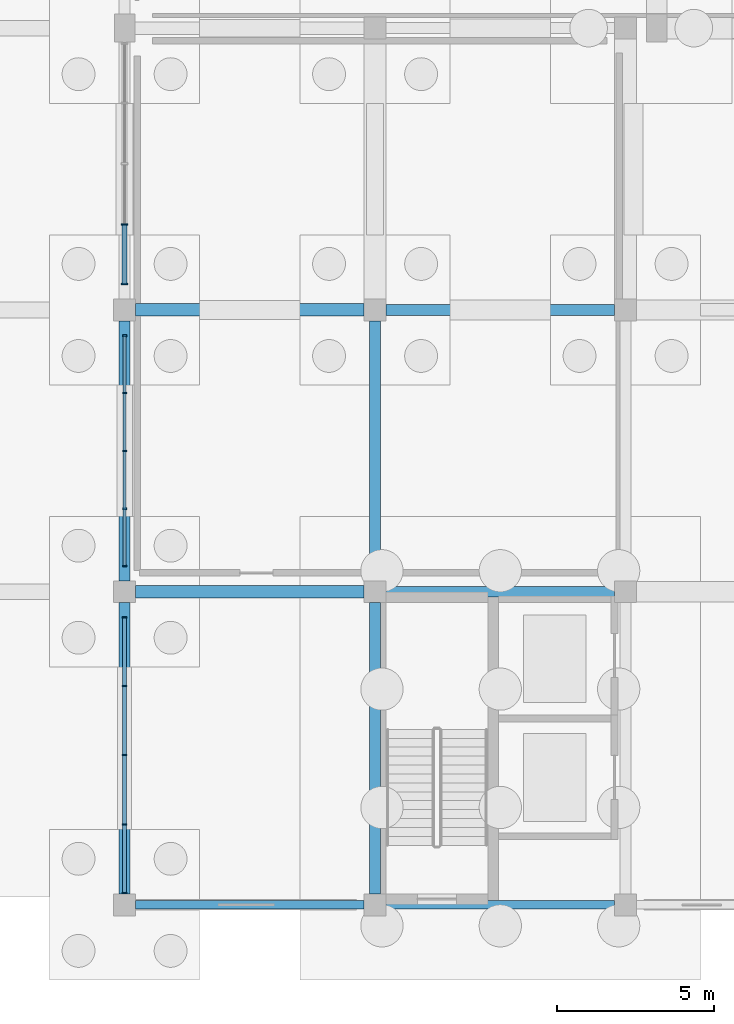
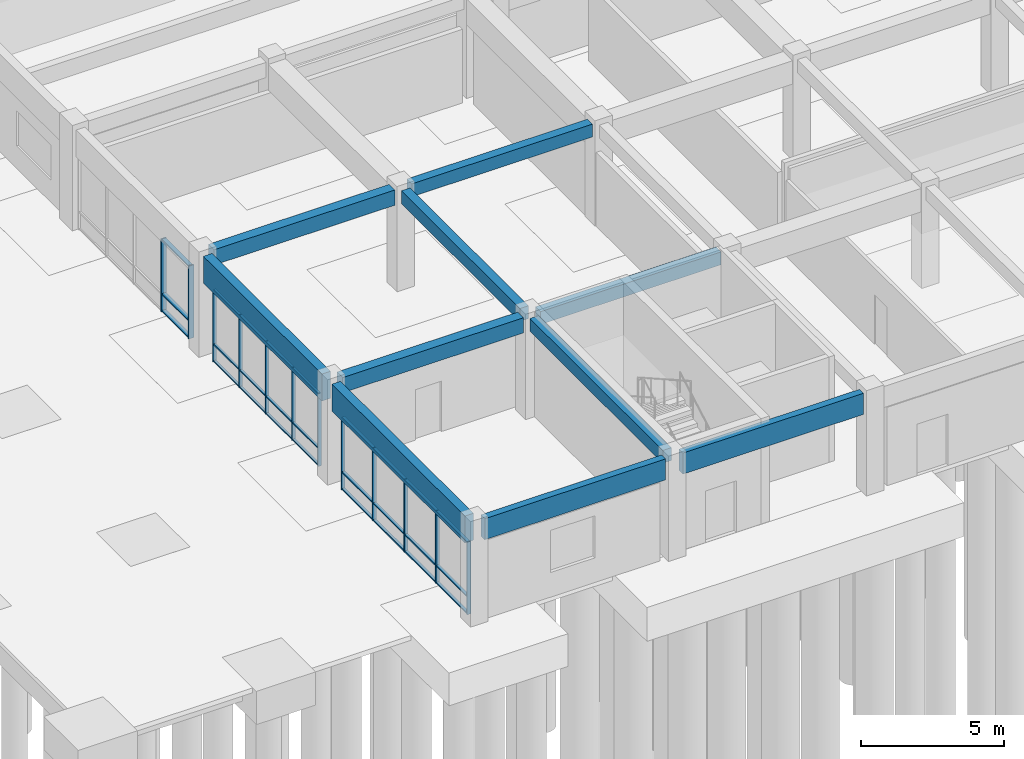
# One storey, part 24 of 84: 39 members, 10 beams, 3 elements without a shape of their own.
"""IFC4 building model written with IfcOpenShell, lengths in metres."""

from ifc_helpers import new_model, si_unit, direction, frame, origin, origin_2d, place, context, subcontext, project, spatial, rectangle, extrude, material, material_profile, profile_set, type_object, element, aggregate, save


model = new_model("IFC4")

# Units and contexts
model_context = context("Model", 3, precision=1e-05, world=origin(), true_north=direction((0.0, 1.0)))
body_context = subcontext(model_context, "Body", "Model", "MODEL_VIEW")
ifc_project = project(units=[si_unit("LENGTHUNIT", "METRE"), si_unit("AREAUNIT", "SQUARE_METRE"), si_unit("VOLUMEUNIT", "CUBIC_METRE"), si_unit("PLANEANGLEUNIT", "RADIAN"), si_unit("MASSUNIT", "GRAM", prefix="KILO")], contexts=[model_context])

# Site, building, storey
site_placement = place(None, origin())
site = spatial("IfcSite", under=ifc_project, at=site_placement, CompositionType="ELEMENT")
building_placement = place(site_placement, origin())
building = spatial("IfcBuilding", under=site, at=building_placement, Name="Larkveld Mobility Hub", CompositionType="ELEMENT")
storey_placement = place(building_placement, origin())
storey = spatial("IfcBuildingStorey", under=building, at=storey_placement, Name="L00", CompositionType="ELEMENT", Elevation=0.0)

# Beams
ifc_material_1 = material(Name="Concrete C40/50", Category="concrete")
ifc_material_profile_1 = material_profile(ifc_material_1, rectangle(XDim=0.35009765625, YDim=0.550048828125, at=origin_2d()), Name="RC BM 350x550")
ifc_profile_set_1 = profile_set([ifc_material_profile_1], Name="Concrete C40/50")
beam_type_1 = type_object("IfcBeamType", Name="BM-RC3555", PredefinedType="BEAM", material=ifc_profile_set_1)
for number, where, z_axis, x_axis, name in (
    (1, (120.35009765625, 10.0, 3.985107421875), (1.0, 0.0, 0.0), (0.0, 1.0, 0.0), "Primary E-W Girder L00-0007"),
    (2, (120.35009765625, 19.0, 3.985107421875), (1.0, 0.0, 0.0), (0.0, 1.0, 0.0), "Primary E-W Girder L00-0012"),
):
    element("IfcBeam", number, at=place(storey_placement, frame(where, z_axis=z_axis, x_axis=x_axis)), inside=storey, type_object=beam_type_1, Name=name, PredefinedType="BEAM", context=body_context, shape_type="SweptSolid", body=[
        extrude(rectangle(XDim=0.35009765625, YDim=0.550048828125, at=origin_2d()), origin(), (0.0, 0.0, 1.0), 7.2998046875),
    ])
beam_1_placement = place(storey_placement, frame((120.0, 0.35009765625, 3.985107421875), z_axis=(0.0, 1.0, 0.0), x_axis=(-1.0, 0.0, 0.0)))
element("IfcBeam", 3, at=beam_1_placement, inside=storey, type_object=beam_type_1, Name="Primary N-S Girder L00-0175", PredefinedType="BEAM", context=body_context, shape_type="SweptSolid", body=[
    extrude(rectangle(XDim=0.35009765625, YDim=0.550048828125, at=origin_2d()), origin(), (0.0, 0.0, 1.0), 9.2998046875),
])
beam_2_placement = place(storey_placement, frame((120.0, 10.35009765625, 3.985107421875), z_axis=(0.0, 1.0, 0.0), x_axis=(-1.0, 0.0, 0.0)))
element("IfcBeam", 4, at=beam_2_placement, inside=storey, type_object=beam_type_1, Name="Primary N-S Girder L00-0176", PredefinedType="BEAM", context=body_context, shape_type="SweptSolid", body=[
    extrude(rectangle(XDim=0.35009765625, YDim=0.550048828125, at=origin_2d()), origin(), (0.0, 0.0, 1.0), 8.2998046875),
])
ifc_material_profile_2 = material_profile(ifc_material_1, rectangle(XDim=0.39990234375, YDim=0.64990234375, at=origin_2d()), Name="RC BM 400x650")
ifc_profile_set_2 = profile_set([ifc_material_profile_2], Name="Concrete C40/50")
beam_type_2 = type_object("IfcBeamType", Name="BM-RC4065", PredefinedType="BEAM", material=ifc_profile_set_2)
for number, where, z_axis, x_axis, name in (
    (5, (112.35009765625, 10.0, 3.93505859375), (1.0, 0.0, 0.0), (0.0, 1.0, 0.0), "Primary E-W Girder L00-0006"),
    (6, (112.35009765625, 19.0, 3.93505859375), (1.0, 0.0, 0.0), (0.0, 1.0, 0.0), "Primary E-W Girder L00-0011"),
):
    element("IfcBeam", number, at=place(storey_placement, frame(where, z_axis=z_axis, x_axis=x_axis)), inside=storey, type_object=beam_type_2, Name=name, PredefinedType="BEAM", context=body_context, shape_type="SweptSolid", body=[
        extrude(rectangle(XDim=0.39990234375, YDim=0.64990234375, at=origin_2d()), origin(), (0.0, 0.0, 1.0), 7.2998046875),
    ])
ifc_material_2 = material(Name="Precast concrete C50/60", Category="concrete")
ifc_material_profile_3 = material_profile(ifc_material_2, rectangle(XDim=0.280029296875, YDim=0.89990234375, at=origin_2d()), Name="PC SP 280x900")
ifc_profile_set_3 = profile_set([ifc_material_profile_3], Name="Precast concrete C50/60")
beam_type_3 = type_object("IfcBeamType", Name="BM-SP2890", PredefinedType="SPANDREL", material=ifc_profile_set_3)
for number, where, z_axis, x_axis, name in (
    (7, (112.35009765625, 0.0, 3.81005859375), (1.0, 0.0, 0.0), (0.0, 1.0, 0.0), "Primary E-W Girder L00-0001"),
    (8, (120.35009765625, 0.0, 3.81005859375), (1.0, 0.0, 0.0), (0.0, 1.0, 0.0), "Primary E-W Girder L00-0002"),
):
    element("IfcBeam", number, at=place(storey_placement, frame(where, z_axis=z_axis, x_axis=x_axis)), inside=storey, type_object=beam_type_3, Name=name, PredefinedType="SPANDREL", context=body_context, shape_type="SweptSolid", body=[
        extrude(rectangle(XDim=0.280029296875, YDim=0.89990234375, at=origin_2d()), origin(), (0.0, 0.0, 1.0), 7.2998046875),
    ])
ifc_material_profile_4 = material_profile(ifc_material_2, rectangle(XDim=0.35009765625, YDim=1.14990234375, at=origin_2d()), Name="PC SP 350x1150")
ifc_profile_set_4 = profile_set([ifc_material_profile_4], Name="Precast concrete C50/60")
beam_type_4 = type_object("IfcBeamType", Name="BM-SP35115", PredefinedType="SPANDREL", material=ifc_profile_set_4)
beam_3_placement = place(storey_placement, frame((112.0, 0.35009765625, 3.68505859375), z_axis=(0.0, 1.0, 0.0), x_axis=(-1.0, 0.0, 0.0)))
element("IfcBeam", 9, at=beam_3_placement, inside=storey, type_object=beam_type_4, Name="Primary N-S Girder L00-0158", PredefinedType="SPANDREL", context=body_context, shape_type="SweptSolid", body=[
    extrude(rectangle(XDim=0.35009765625, YDim=1.14990234375, at=origin_2d()), origin(), (0.0, 0.0, 1.0), 9.2998046875),
])
beam_4_placement = place(storey_placement, frame((112.0, 10.35009765625, 3.68505859375), z_axis=(0.0, 1.0, 0.0), x_axis=(-1.0, 0.0, 0.0)))
element("IfcBeam", 10, at=beam_4_placement, inside=storey, type_object=beam_type_4, Name="Primary N-S Girder L00-0159", PredefinedType="SPANDREL", context=body_context, shape_type="SweptSolid", body=[
    extrude(rectangle(XDim=0.35009765625, YDim=1.14990234375, at=origin_2d()), origin(), (0.0, 0.0, 1.0), 8.2998046875),
])

# Curtain wall, members
ifc_material_3 = material(Name="Anodised aluminium 6063-T6", Category="aluminium")
curtain_wall_type_1 = type_object("IfcCurtainWallType", Name="CW-SYS-09", PredefinedType="NOTDEFINED", material=ifc_material_3)
curtain_wall_1_placement = place(storey_placement, origin())
curtain_wall_1 = element("IfcCurtainWall", 11, at=curtain_wall_1_placement, inside=storey, type_object=curtain_wall_type_1, Name="Public Passage East Service Facade L00 CW-093", PredefinedType="NOTDEFINED")
ifc_material_profile_5 = material_profile(ifc_material_3, rectangle(XDim=0.050048828125, YDim=0.14990234375, at=origin_2d()), Name="ALU MULL 50x150")
ifc_profile_set_5 = profile_set([ifc_material_profile_5], Name="Anodised aluminium 6063-T6")
member_type_1 = type_object("IfcMemberType", Name="CW-MUL-01", PredefinedType="MULLION", material=ifc_profile_set_5)
member_1_placement = place(storey_placement, frame((112.0, 9.175048828125, -0.001953125), z_axis=(0.0, 0.0, 1.0), x_axis=(0.0, -1.0, 0.0)))
member_1 = element("IfcMember", 12, at=member_1_placement, type_object=member_type_1, Name="CW09 mullion 1", PredefinedType="MULLION", context=body_context, shape_type="SweptSolid", body=[
    extrude(rectangle(XDim=0.050048828125, YDim=0.14990234375, at=origin_2d()), origin(), (0.0, 0.0, 1.0), 3.112060546875),
])
member_2_placement = place(storey_placement, frame((112.0, 6.989990234375, -0.001953125), z_axis=(0.0, 0.0, 1.0), x_axis=(0.0, -1.0, 0.0)))
member_2 = element("IfcMember", 13, at=member_2_placement, type_object=member_type_1, Name="CW09 mullion 2", PredefinedType="MULLION", context=body_context, shape_type="SweptSolid", body=[
    extrude(rectangle(XDim=0.050048828125, YDim=0.14990234375, at=origin_2d()), origin(), (0.0, 0.0, 1.0), 3.112060546875),
])
member_3_placement = place(storey_placement, frame((112.0, 4.780029296875, -0.001953125), z_axis=(0.0, 0.0, 1.0), x_axis=(0.0, -1.0, 0.0)))
member_3 = element("IfcMember", 14, at=member_3_placement, type_object=member_type_1, Name="CW09 mullion 3", PredefinedType="MULLION", context=body_context, shape_type="SweptSolid", body=[
    extrude(rectangle(XDim=0.050048828125, YDim=0.14990234375, at=origin_2d()), origin(), (0.0, 0.0, 1.0), 3.112060546875),
])
member_4_placement = place(storey_placement, frame((112.0, 2.570068359375, -0.001953125), z_axis=(0.0, 0.0, 1.0), x_axis=(0.0, -1.0, 0.0)))
member_4 = element("IfcMember", 15, at=member_4_placement, type_object=member_type_1, Name="CW09 mullion 4", PredefinedType="MULLION", context=body_context, shape_type="SweptSolid", body=[
    extrude(rectangle(XDim=0.050048828125, YDim=0.14990234375, at=origin_2d()), origin(), (0.0, 0.0, 1.0), 3.112060546875),
])
member_5_placement = place(storey_placement, frame((112.0, 0.385009765625, -0.001953125), z_axis=(0.0, 0.0, 1.0), x_axis=(0.0, -1.0, 0.0)))
member_5 = element("IfcMember", 16, at=member_5_placement, type_object=member_type_1, Name="CW09 mullion 5", PredefinedType="MULLION", context=body_context, shape_type="SweptSolid", body=[
    extrude(rectangle(XDim=0.050048828125, YDim=0.14990234375, at=origin_2d()), origin(), (0.0, 0.0, 1.0), 3.112060546875),
])

curtain_wall_type_2 = type_object("IfcCurtainWallType", Name="CW-SYS-07", PredefinedType="NOTDEFINED", material=ifc_material_3)
curtain_wall_2_placement = place(storey_placement, origin())
curtain_wall_2 = element("IfcCurtainWall", 17, at=curtain_wall_2_placement, inside=storey, type_object=curtain_wall_type_2, Name="Public Passage East Service Facade L00 CW-091", PredefinedType="NOTDEFINED")
ifc_material_profile_6 = material_profile(ifc_material_3, rectangle(XDim=0.050048828125, YDim=0.2099609375, at=origin_2d()), Name="ALU MULL 50x210")
ifc_profile_set_6 = profile_set([ifc_material_profile_6], Name="Anodised aluminium 6063-T6")
member_type_2 = type_object("IfcMemberType", Name="CW-MUL-03", PredefinedType="MULLION", material=ifc_profile_set_6)
member_6_placement = place(storey_placement, frame((112.0, 21.735107421875, -0.001953125), z_axis=(0.0, 0.0, 1.0), x_axis=(0.0, -1.0, 0.0)))
member_6 = element("IfcMember", 18, at=member_6_placement, type_object=member_type_2, Name="CW07 mullion 4", PredefinedType="MULLION", context=body_context, shape_type="SweptSolid", body=[
    extrude(rectangle(XDim=0.050048828125, YDim=0.2099609375, at=origin_2d()), origin(), (0.0, 0.0, 1.0), 3.112060546875),
])
member_7_placement = place(storey_placement, frame((112.0, 19.824951171875, -0.001953125), z_axis=(0.0, 0.0, 1.0), x_axis=(0.0, -1.0, 0.0)))
member_7 = element("IfcMember", 19, at=member_7_placement, type_object=member_type_2, Name="CW07 mullion 5", PredefinedType="MULLION", context=body_context, shape_type="SweptSolid", body=[
    extrude(rectangle(XDim=0.050048828125, YDim=0.2099609375, at=origin_2d()), origin(), (0.0, 0.0, 1.0), 3.112060546875),
])

curtain_wall_type_3 = type_object("IfcCurtainWallType", Name="CW-SYS-08", PredefinedType="NOTDEFINED", material=ifc_material_3)
curtain_wall_3_placement = place(storey_placement, origin())
curtain_wall_3 = element("IfcCurtainWall", 20, at=curtain_wall_3_placement, inside=storey, type_object=curtain_wall_type_3, Name="Public Passage East Service Facade L00 CW-092", PredefinedType="NOTDEFINED")
ifc_material_profile_7 = material_profile(ifc_material_3, rectangle(XDim=0.050048828125, YDim=0.1298828125, at=origin_2d()), Name="ALU MULL 50x130")
ifc_profile_set_7 = profile_set([ifc_material_profile_7], Name="Anodised aluminium 6063-T6")
member_type_3 = type_object("IfcMemberType", Name="CW-MUL-04", PredefinedType="MULLION", material=ifc_profile_set_7)
member_8_placement = place(storey_placement, frame((112.0, 18.175048828125, -0.001953125), z_axis=(0.0, 0.0, 1.0), x_axis=(0.0, -1.0, 0.0)))
member_8 = element("IfcMember", 21, at=member_8_placement, type_object=member_type_3, Name="CW08 mullion 1", PredefinedType="MULLION", context=body_context, shape_type="SweptSolid", body=[
    extrude(rectangle(XDim=0.050048828125, YDim=0.1298828125, at=origin_2d()), origin(), (0.0, 0.0, 1.0), 3.112060546875),
])
member_9_placement = place(storey_placement, frame((112.0, 16.35009765625, -0.001953125), z_axis=(0.0, 0.0, 1.0), x_axis=(0.0, -1.0, 0.0)))
member_9 = element("IfcMember", 22, at=member_9_placement, type_object=member_type_3, Name="CW08 mullion 2", PredefinedType="MULLION", context=body_context, shape_type="SweptSolid", body=[
    extrude(rectangle(XDim=0.050048828125, YDim=0.1298828125, at=origin_2d()), origin(), (0.0, 0.0, 1.0), 3.112060546875),
])
member_10_placement = place(storey_placement, frame((112.0, 14.5, -0.001953125), z_axis=(0.0, 0.0, 1.0), x_axis=(0.0, -1.0, 0.0)))
member_10 = element("IfcMember", 23, at=member_10_placement, type_object=member_type_3, Name="CW08 mullion 3", PredefinedType="MULLION", context=body_context, shape_type="SweptSolid", body=[
    extrude(rectangle(XDim=0.050048828125, YDim=0.1298828125, at=origin_2d()), origin(), (0.0, 0.0, 1.0), 3.112060546875),
])
member_11_placement = place(storey_placement, frame((112.0, 12.64990234375, -0.001953125), z_axis=(0.0, 0.0, 1.0), x_axis=(0.0, -1.0, 0.0)))
member_11 = element("IfcMember", 24, at=member_11_placement, type_object=member_type_3, Name="CW08 mullion 4", PredefinedType="MULLION", context=body_context, shape_type="SweptSolid", body=[
    extrude(rectangle(XDim=0.050048828125, YDim=0.1298828125, at=origin_2d()), origin(), (0.0, 0.0, 1.0), 3.112060546875),
])
member_12_placement = place(storey_placement, frame((112.0, 10.824951171875, -0.001953125), z_axis=(0.0, 0.0, 1.0), x_axis=(0.0, -1.0, 0.0)))
member_12 = element("IfcMember", 25, at=member_12_placement, type_object=member_type_3, Name="CW08 mullion 5", PredefinedType="MULLION", context=body_context, shape_type="SweptSolid", body=[
    extrude(rectangle(XDim=0.050048828125, YDim=0.1298828125, at=origin_2d()), origin(), (0.0, 0.0, 1.0), 3.112060546875),
])

# Member
ifc_material_profile_8 = material_profile(ifc_material_3, rectangle(XDim=0.1201171875, YDim=0.050048828125, at=origin_2d()), Name="ALU TRAN 50x120")
ifc_profile_set_8 = profile_set([ifc_material_profile_8], Name="Anodised aluminium 6063-T6")
member_type_4 = type_object("IfcMemberType", Name="CW-TRN-01", PredefinedType="USERDEFINED", material=ifc_profile_set_8)
member_13_placement = place(storey_placement, frame((112.0, 9.1650390625, 0.030029296875), z_axis=(0.0, -1.0, 0.0), x_axis=(1.0, 0.0, 0.0)))
member_13 = element("IfcMember", 26, at=member_13_placement, type_object=member_type_4, Name="CW09 transom 1.1", ObjectType="TRANSOM", PredefinedType="USERDEFINED", context=body_context, shape_type="SweptSolid", body=[
    extrude(rectangle(XDim=0.1201171875, YDim=0.050048828125, at=origin_2d()), origin(), (0.0, 0.0, 1.0), 2.16015625),
])

member_14_placement = place(storey_placement, frame((112.0, 9.1650390625, 0.75), z_axis=(0.0, -1.0, 0.0), x_axis=(1.0, 0.0, 0.0)))
member_14 = element("IfcMember", 27, at=member_14_placement, type_object=member_type_4, Name="CW09 transom 1.2", ObjectType="TRANSOM", PredefinedType="USERDEFINED", context=body_context, shape_type="SweptSolid", body=[
    extrude(rectangle(XDim=0.1201171875, YDim=0.050048828125, at=origin_2d()), origin(), (0.0, 0.0, 1.0), 2.16015625),
])

member_15_placement = place(storey_placement, frame((112.0, 9.1650390625, 3.077880859375), z_axis=(0.0, -1.0, 0.0), x_axis=(1.0, 0.0, 0.0)))
member_15 = element("IfcMember", 28, at=member_15_placement, type_object=member_type_4, Name="CW09 transom 1.3", ObjectType="TRANSOM", PredefinedType="USERDEFINED", context=body_context, shape_type="SweptSolid", body=[
    extrude(rectangle(XDim=0.1201171875, YDim=0.050048828125, at=origin_2d()), origin(), (0.0, 0.0, 1.0), 2.16015625),
])

member_16_placement = place(storey_placement, frame((112.0, 6.97509765625, 0.030029296875), z_axis=(0.0, -1.0, 0.0), x_axis=(1.0, 0.0, 0.0)))
member_16 = element("IfcMember", 29, at=member_16_placement, type_object=member_type_4, Name="CW09 transom 2.1", ObjectType="TRANSOM", PredefinedType="USERDEFINED", context=body_context, shape_type="SweptSolid", body=[
    extrude(rectangle(XDim=0.1201171875, YDim=0.050048828125, at=origin_2d()), origin(), (0.0, 0.0, 1.0), 2.18017578125),
])

member_17_placement = place(storey_placement, frame((112.0, 6.97509765625, 0.75), z_axis=(0.0, -1.0, 0.0), x_axis=(1.0, 0.0, 0.0)))
member_17 = element("IfcMember", 30, at=member_17_placement, type_object=member_type_4, Name="CW09 transom 2.2", ObjectType="TRANSOM", PredefinedType="USERDEFINED", context=body_context, shape_type="SweptSolid", body=[
    extrude(rectangle(XDim=0.1201171875, YDim=0.050048828125, at=origin_2d()), origin(), (0.0, 0.0, 1.0), 2.18017578125),
])

member_18_placement = place(storey_placement, frame((112.0, 6.97509765625, 3.077880859375), z_axis=(0.0, -1.0, 0.0), x_axis=(1.0, 0.0, 0.0)))
member_18 = element("IfcMember", 31, at=member_18_placement, type_object=member_type_4, Name="CW09 transom 2.3", ObjectType="TRANSOM", PredefinedType="USERDEFINED", context=body_context, shape_type="SweptSolid", body=[
    extrude(rectangle(XDim=0.1201171875, YDim=0.050048828125, at=origin_2d()), origin(), (0.0, 0.0, 1.0), 2.18017578125),
])

member_19_placement = place(storey_placement, frame((112.0, 4.764892578125, 0.030029296875), z_axis=(0.0, -1.0, 0.0), x_axis=(1.0, 0.0, 0.0)))
member_19 = element("IfcMember", 32, at=member_19_placement, type_object=member_type_4, Name="CW09 transom 3.1", ObjectType="TRANSOM", PredefinedType="USERDEFINED", context=body_context, shape_type="SweptSolid", body=[
    extrude(rectangle(XDim=0.1201171875, YDim=0.050048828125, at=origin_2d()), origin(), (0.0, 0.0, 1.0), 2.179931640625),
])

member_20_placement = place(storey_placement, frame((112.0, 4.764892578125, 0.75), z_axis=(0.0, -1.0, 0.0), x_axis=(1.0, 0.0, 0.0)))
member_20 = element("IfcMember", 33, at=member_20_placement, type_object=member_type_4, Name="CW09 transom 3.2", ObjectType="TRANSOM", PredefinedType="USERDEFINED", context=body_context, shape_type="SweptSolid", body=[
    extrude(rectangle(XDim=0.1201171875, YDim=0.050048828125, at=origin_2d()), origin(), (0.0, 0.0, 1.0), 2.179931640625),
])

member_21_placement = place(storey_placement, frame((112.0, 4.764892578125, 3.077880859375), z_axis=(0.0, -1.0, 0.0), x_axis=(1.0, 0.0, 0.0)))
member_21 = element("IfcMember", 34, at=member_21_placement, type_object=member_type_4, Name="CW09 transom 3.3", ObjectType="TRANSOM", PredefinedType="USERDEFINED", context=body_context, shape_type="SweptSolid", body=[
    extrude(rectangle(XDim=0.1201171875, YDim=0.050048828125, at=origin_2d()), origin(), (0.0, 0.0, 1.0), 2.179931640625),
])

member_22_placement = place(storey_placement, frame((112.0, 2.554931640625, 0.030029296875), z_axis=(0.0, -1.0, 0.0), x_axis=(1.0, 0.0, 0.0)))
member_22 = element("IfcMember", 35, at=member_22_placement, type_object=member_type_4, Name="CW09 transom 4.1", ObjectType="TRANSOM", PredefinedType="USERDEFINED", context=body_context, shape_type="SweptSolid", body=[
    extrude(rectangle(XDim=0.1201171875, YDim=0.050048828125, at=origin_2d()), origin(), (0.0, 0.0, 1.0), 2.159912109375),
])

member_23_placement = place(storey_placement, frame((112.0, 2.554931640625, 0.75), z_axis=(0.0, -1.0, 0.0), x_axis=(1.0, 0.0, 0.0)))
member_23 = element("IfcMember", 36, at=member_23_placement, type_object=member_type_4, Name="CW09 transom 4.2", ObjectType="TRANSOM", PredefinedType="USERDEFINED", context=body_context, shape_type="SweptSolid", body=[
    extrude(rectangle(XDim=0.1201171875, YDim=0.050048828125, at=origin_2d()), origin(), (0.0, 0.0, 1.0), 2.159912109375),
])

member_24_placement = place(storey_placement, frame((112.0, 2.554931640625, 3.077880859375), z_axis=(0.0, -1.0, 0.0), x_axis=(1.0, 0.0, 0.0)))
member_24 = element("IfcMember", 37, at=member_24_placement, type_object=member_type_4, Name="CW09 transom 4.3", ObjectType="TRANSOM", PredefinedType="USERDEFINED", context=body_context, shape_type="SweptSolid", body=[
    extrude(rectangle(XDim=0.1201171875, YDim=0.050048828125, at=origin_2d()), origin(), (0.0, 0.0, 1.0), 2.159912109375),
])

aggregate(curtain_wall_1, [member_1, member_2, member_3, member_4, member_5, member_13, member_14, member_15, member_16, member_17, member_18, member_19, member_20, member_21, member_22, member_23, member_24])

ifc_material_profile_9 = material_profile(ifc_material_3, rectangle(XDim=0.169921875, YDim=0.050048828125, at=origin_2d()), Name="ALU TRAN 50x170")
ifc_profile_set_9 = profile_set([ifc_material_profile_9], Name="Anodised aluminium 6063-T6")
member_type_5 = type_object("IfcMemberType", Name="CW-TRN-03", PredefinedType="USERDEFINED", material=ifc_profile_set_9)
member_25_placement = place(storey_placement, frame((112.0, 21.719970703125, 0.030029296875), z_axis=(0.0, -1.0, 0.0), x_axis=(1.0, 0.0, 0.0)))
member_25 = element("IfcMember", 38, at=member_25_placement, type_object=member_type_5, Name="CW07 transom 4.1", ObjectType="TRANSOM", PredefinedType="USERDEFINED", context=body_context, shape_type="SweptSolid", body=[
    extrude(rectangle(XDim=0.169921875, YDim=0.050048828125, at=origin_2d()), origin(), (0.0, 0.0, 1.0), 1.885009765625),
])

member_26_placement = place(storey_placement, frame((112.0, 21.719970703125, 0.75), z_axis=(0.0, -1.0, 0.0), x_axis=(1.0, 0.0, 0.0)))
member_26 = element("IfcMember", 39, at=member_26_placement, type_object=member_type_5, Name="CW07 transom 4.2", ObjectType="TRANSOM", PredefinedType="USERDEFINED", context=body_context, shape_type="SweptSolid", body=[
    extrude(rectangle(XDim=0.169921875, YDim=0.050048828125, at=origin_2d()), origin(), (0.0, 0.0, 1.0), 1.885009765625),
])

member_27_placement = place(storey_placement, frame((112.0, 21.719970703125, 3.077880859375), z_axis=(0.0, -1.0, 0.0), x_axis=(1.0, 0.0, 0.0)))
member_27 = element("IfcMember", 40, at=member_27_placement, type_object=member_type_5, Name="CW07 transom 4.3", ObjectType="TRANSOM", PredefinedType="USERDEFINED", context=body_context, shape_type="SweptSolid", body=[
    extrude(rectangle(XDim=0.169921875, YDim=0.050048828125, at=origin_2d()), origin(), (0.0, 0.0, 1.0), 1.885009765625),
])

aggregate(curtain_wall_2, [member_6, member_7, member_25, member_26, member_27])

ifc_material_profile_10 = material_profile(ifc_material_3, rectangle(XDim=0.10009765625, YDim=0.050048828125, at=origin_2d()), Name="ALU TRAN 50x100")
ifc_profile_set_10 = profile_set([ifc_material_profile_10], Name="Anodised aluminium 6063-T6")
member_type_6 = type_object("IfcMemberType", Name="CW-TRN-04", PredefinedType="USERDEFINED", material=ifc_profile_set_10)
member_28_placement = place(storey_placement, frame((112.0, 18.1650390625, 0.030029296875), z_axis=(0.0, -1.0, 0.0), x_axis=(1.0, 0.0, 0.0)))
member_28 = element("IfcMember", 41, at=member_28_placement, type_object=member_type_6, Name="CW08 transom 1.1", ObjectType="TRANSOM", PredefinedType="USERDEFINED", context=body_context, shape_type="SweptSolid", body=[
    extrude(rectangle(XDim=0.10009765625, YDim=0.050048828125, at=origin_2d()), origin(), (0.0, 0.0, 1.0), 1.800048828125),
])

member_29_placement = place(storey_placement, frame((112.0, 18.1650390625, 0.75), z_axis=(0.0, -1.0, 0.0), x_axis=(1.0, 0.0, 0.0)))
member_29 = element("IfcMember", 42, at=member_29_placement, type_object=member_type_6, Name="CW08 transom 1.2", ObjectType="TRANSOM", PredefinedType="USERDEFINED", context=body_context, shape_type="SweptSolid", body=[
    extrude(rectangle(XDim=0.10009765625, YDim=0.050048828125, at=origin_2d()), origin(), (0.0, 0.0, 1.0), 1.800048828125),
])

member_30_placement = place(storey_placement, frame((112.0, 18.1650390625, 3.077880859375), z_axis=(0.0, -1.0, 0.0), x_axis=(1.0, 0.0, 0.0)))
member_30 = element("IfcMember", 43, at=member_30_placement, type_object=member_type_6, Name="CW08 transom 1.3", ObjectType="TRANSOM", PredefinedType="USERDEFINED", context=body_context, shape_type="SweptSolid", body=[
    extrude(rectangle(XDim=0.10009765625, YDim=0.050048828125, at=origin_2d()), origin(), (0.0, 0.0, 1.0), 1.800048828125),
])

member_31_placement = place(storey_placement, frame((112.0, 16.3349609375, 0.030029296875), z_axis=(0.0, -1.0, 0.0), x_axis=(1.0, 0.0, 0.0)))
member_31 = element("IfcMember", 44, at=member_31_placement, type_object=member_type_6, Name="CW08 transom 2.1", ObjectType="TRANSOM", PredefinedType="USERDEFINED", context=body_context, shape_type="SweptSolid", body=[
    extrude(rectangle(XDim=0.10009765625, YDim=0.050048828125, at=origin_2d()), origin(), (0.0, 0.0, 1.0), 1.820068359375),
])

member_32_placement = place(storey_placement, frame((112.0, 16.3349609375, 0.75), z_axis=(0.0, -1.0, 0.0), x_axis=(1.0, 0.0, 0.0)))
member_32 = element("IfcMember", 45, at=member_32_placement, type_object=member_type_6, Name="CW08 transom 2.2", ObjectType="TRANSOM", PredefinedType="USERDEFINED", context=body_context, shape_type="SweptSolid", body=[
    extrude(rectangle(XDim=0.10009765625, YDim=0.050048828125, at=origin_2d()), origin(), (0.0, 0.0, 1.0), 1.820068359375),
])

member_33_placement = place(storey_placement, frame((112.0, 16.3349609375, 3.077880859375), z_axis=(0.0, -1.0, 0.0), x_axis=(1.0, 0.0, 0.0)))
member_33 = element("IfcMember", 46, at=member_33_placement, type_object=member_type_6, Name="CW08 transom 2.3", ObjectType="TRANSOM", PredefinedType="USERDEFINED", context=body_context, shape_type="SweptSolid", body=[
    extrude(rectangle(XDim=0.10009765625, YDim=0.050048828125, at=origin_2d()), origin(), (0.0, 0.0, 1.0), 1.820068359375),
])

member_34_placement = place(storey_placement, frame((112.0, 14.485107421875, 0.030029296875), z_axis=(0.0, -1.0, 0.0), x_axis=(1.0, 0.0, 0.0)))
member_34 = element("IfcMember", 47, at=member_34_placement, type_object=member_type_6, Name="CW08 transom 3.1", ObjectType="TRANSOM", PredefinedType="USERDEFINED", context=body_context, shape_type="SweptSolid", body=[
    extrude(rectangle(XDim=0.10009765625, YDim=0.050048828125, at=origin_2d()), origin(), (0.0, 0.0, 1.0), 1.820068359375),
])

member_35_placement = place(storey_placement, frame((112.0, 14.485107421875, 0.75), z_axis=(0.0, -1.0, 0.0), x_axis=(1.0, 0.0, 0.0)))
member_35 = element("IfcMember", 48, at=member_35_placement, type_object=member_type_6, Name="CW08 transom 3.2", ObjectType="TRANSOM", PredefinedType="USERDEFINED", context=body_context, shape_type="SweptSolid", body=[
    extrude(rectangle(XDim=0.10009765625, YDim=0.050048828125, at=origin_2d()), origin(), (0.0, 0.0, 1.0), 1.820068359375),
])

member_36_placement = place(storey_placement, frame((112.0, 14.485107421875, 3.077880859375), z_axis=(0.0, -1.0, 0.0), x_axis=(1.0, 0.0, 0.0)))
member_36 = element("IfcMember", 49, at=member_36_placement, type_object=member_type_6, Name="CW08 transom 3.3", ObjectType="TRANSOM", PredefinedType="USERDEFINED", context=body_context, shape_type="SweptSolid", body=[
    extrude(rectangle(XDim=0.10009765625, YDim=0.050048828125, at=origin_2d()), origin(), (0.0, 0.0, 1.0), 1.820068359375),
])

member_37_placement = place(storey_placement, frame((112.0, 12.635009765625, 0.030029296875), z_axis=(0.0, -1.0, 0.0), x_axis=(1.0, 0.0, 0.0)))
member_37 = element("IfcMember", 50, at=member_37_placement, type_object=member_type_6, Name="CW08 transom 4.1", ObjectType="TRANSOM", PredefinedType="USERDEFINED", context=body_context, shape_type="SweptSolid", body=[
    extrude(rectangle(XDim=0.10009765625, YDim=0.050048828125, at=origin_2d()), origin(), (0.0, 0.0, 1.0), 1.800048828125),
])

member_38_placement = place(storey_placement, frame((112.0, 12.635009765625, 0.75), z_axis=(0.0, -1.0, 0.0), x_axis=(1.0, 0.0, 0.0)))
member_38 = element("IfcMember", 51, at=member_38_placement, type_object=member_type_6, Name="CW08 transom 4.2", ObjectType="TRANSOM", PredefinedType="USERDEFINED", context=body_context, shape_type="SweptSolid", body=[
    extrude(rectangle(XDim=0.10009765625, YDim=0.050048828125, at=origin_2d()), origin(), (0.0, 0.0, 1.0), 1.800048828125),
])

member_39_placement = place(storey_placement, frame((112.0, 12.635009765625, 3.077880859375), z_axis=(0.0, -1.0, 0.0), x_axis=(1.0, 0.0, 0.0)))
member_39 = element("IfcMember", 52, at=member_39_placement, type_object=member_type_6, Name="CW08 transom 4.3", ObjectType="TRANSOM", PredefinedType="USERDEFINED", context=body_context, shape_type="SweptSolid", body=[
    extrude(rectangle(XDim=0.10009765625, YDim=0.050048828125, at=origin_2d()), origin(), (0.0, 0.0, 1.0), 1.800048828125),
])

aggregate(curtain_wall_3, [member_8, member_9, member_10, member_11, member_12, member_28, member_29, member_30, member_31, member_32, member_33, member_34, member_35, member_36, member_37, member_38, member_39])

save(model, "model.ifc")
